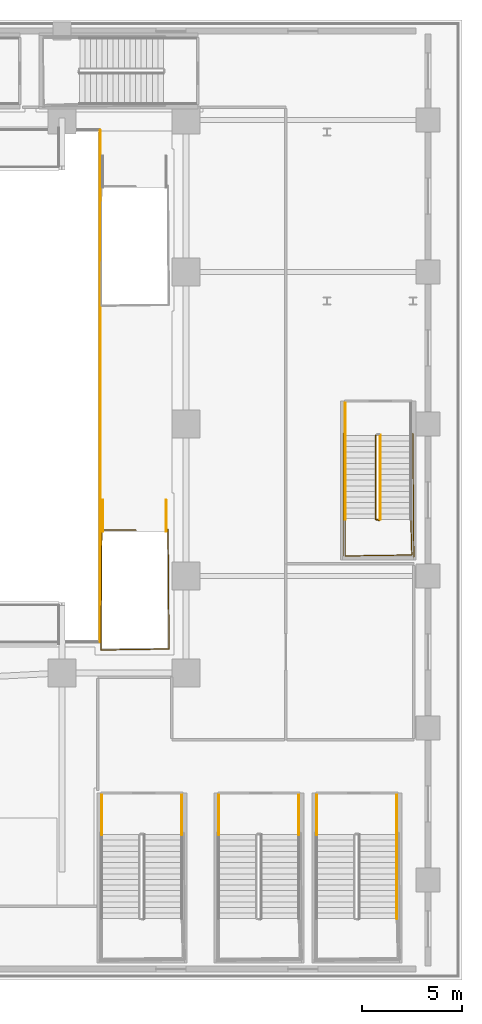
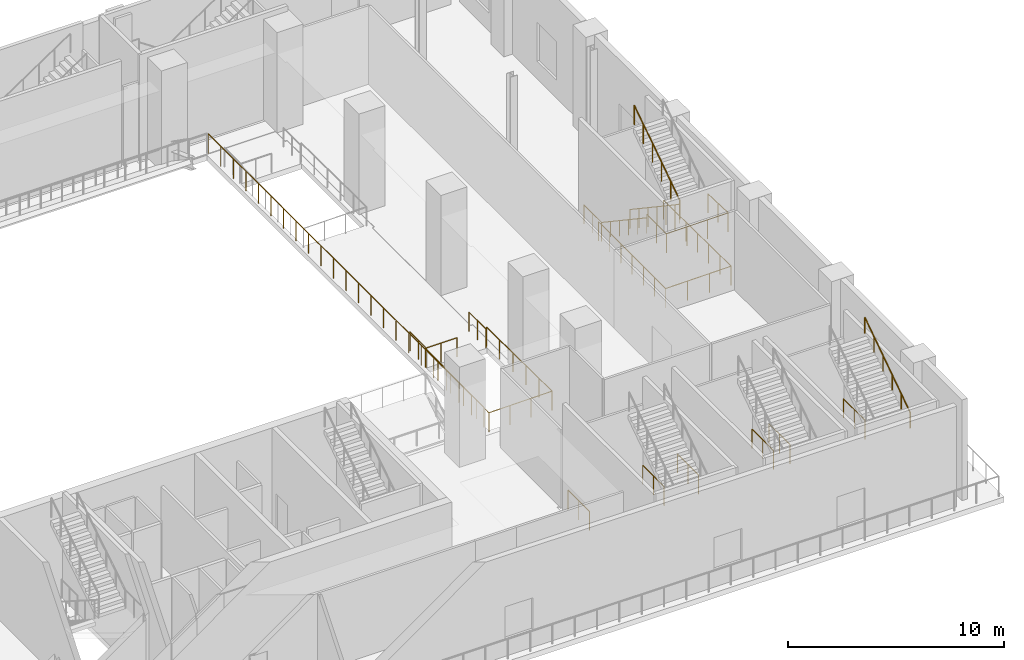
# One storey, part 25 of 28: 17 railings.
"""IFC4 building model written with IfcOpenShell, lengths in metres."""

from ifc_helpers import new_model, si_unit, direction, frame, origin, origin_2d, place, context, subcontext, project, spatial, circle, extrude, material, layer, layer_set, type_object, element, save


model = new_model("IFC4")

# Units and contexts
model_context = context("Model", 3, precision=1e-05, world=origin(), true_north=direction((0.0, 1.0)))
body_context = subcontext(model_context, "Body", "Model", "MODEL_VIEW")
ifc_project = project(units=[si_unit("LENGTHUNIT", "METRE"), si_unit("AREAUNIT", "SQUARE_METRE"), si_unit("VOLUMEUNIT", "CUBIC_METRE"), si_unit("PLANEANGLEUNIT", "RADIAN"), si_unit("MASSUNIT", "GRAM", prefix="KILO")], contexts=[model_context])

# Site, building, storey
site_placement = place(None, origin())
site = spatial("IfcSite", under=ifc_project, at=site_placement, CompositionType="ELEMENT")
building_placement = place(site_placement, origin())
building = spatial("IfcBuilding", under=site, at=building_placement, Name="Ndaravel Arena Tower", CompositionType="ELEMENT")
storey_placement = place(building_placement, frame((0.0, 0.0, 18.0)))
storey = spatial("IfcBuildingStorey", under=building, at=storey_placement, Name="L03", CompositionType="ELEMENT", Elevation=18.0)

# Railings
ifc_material_1 = material(Name="Steel S355", Category="steel")
ifc_layer_1 = layer(ifc_material_1, 0.06005859375)
ifc_layer_set_1 = layer_set([ifc_layer_1], Name="Steel S355")
railing_type_1 = type_object("IfcRailingType", Name="RAIL-STAIR-GD1100", PredefinedType="GUARDRAIL", material=ifc_layer_set_1)
for number, where, name in (
    (1, (66.0, 9.25, 0.0), "L03 ST-A04 stair guard 5"),
    (2, (70.0, 9.25, 0.0), "L03 ST-A04 stair guard 6"),
    (3, (71.85009765625, 9.25, 0.0), "L03 ST-A05 stair guard 5"),
    (4, (75.85009765625, 9.25, 0.0), "L03 ST-A05 stair guard 6"),
    (5, (76.75, 9.25, 0.0), "L03 ST-A06 stair guard 5"),
    (6, (80.75, 9.25, 0.0), "L03 ST-A06 stair guard 6"),
):
    element("IfcRailing", number, at=place(storey_placement, frame(where)), inside=storey, type_object=railing_type_1, Name=name, PredefinedType="GUARDRAIL", context=body_context, shape_type="SweptSolid", body=[
        extrude(circle(Radius=0.02392578125, at=origin_2d()), frame((0.0, 0.0, 1.076171875), z_axis=(0.0, -1.0, 0.0), x_axis=(1.0, 0.0, 0.0)), (0.0, 0.0, 1.0), 1.97998046875),
        extrude(circle(Radius=0.02099609375, at=origin_2d()), origin(), (0.0, 0.0, 1.0), 1.052001953125),
        extrude(circle(Radius=0.02099609375, at=origin_2d()), frame((0.0, -0.989990234375, 0.0)), (0.0, 0.0, 1.0), 1.052001953125),
        extrude(circle(Radius=0.02099609375, at=origin_2d()), frame((0.0, -1.97998046875, 0.0)), (0.0, 0.0, 1.0), 1.052001953125),
    ])
railing_1_placement = place(storey_placement, frame((79.68994140625, 27.22998046875, 0.1875)))
element("IfcRailing", 7, at=railing_1_placement, inside=storey, type_object=railing_type_1, Name="L03 ST-A12 stair guard 1", PredefinedType="GUARDRAIL", context=body_context, shape_type="SweptSolid", body=[
    extrude(circle(Radius=0.02392578125, at=origin_2d()), frame((0.0, 0.0, 1.076171875), z_axis=(0.0, -0.830904186295, 0.556415522067), x_axis=(1.0, 0.0, 0.0)), (0.0, 0.0, 1.0), 5.0546875),
    extrude(circle(Radius=0.02392578125, at=origin_2d()), frame((0.0, -4.199951171875, 3.888671875), z_axis=(0.966993988697, -0.254799187253, 0.0), x_axis=(0.254799187253, 0.966993988697, 0.0)), (0.0, 0.0, 1.0), 0.196533203125),
    extrude(circle(Radius=0.02099609375, at=origin_2d()), origin(), (0.0, 0.0, 1.0), 1.052001953125),
    extrude(circle(Radius=0.02099609375, at=origin_2d()), frame((0.0, -0.840087890625, 0.5625)), (0.0, 0.0, 1.0), 1.052001953125),
    extrude(circle(Radius=0.02099609375, at=origin_2d()), frame((0.0, -1.679931640625, 1.125)), (0.0, 0.0, 1.0), 1.052001953125),
    extrude(circle(Radius=0.02099609375, at=origin_2d()), frame((0.0, -2.52001953125, 1.6875)), (0.0, 0.0, 1.0), 1.052001953125),
    extrude(circle(Radius=0.02099609375, at=origin_2d()), frame((0.0, -3.35986328125, 2.25)), (0.0, 0.0, 1.0), 1.052001953125),
    extrude(circle(Radius=0.02099609375, at=origin_2d()), frame((0.0, -4.199951171875, 2.8125)), (0.0, 0.0, 1.0), 1.052001953125),
    extrude(circle(Radius=0.02099609375, at=origin_2d()), frame((0.18994140625, -4.25, 2.8125)), (0.0, 0.0, 1.0), 1.052001953125),
])
railing_2_placement = place(storey_placement, frame((78.169921875, 23.030029296875, 3.0)))
element("IfcRailing", 8, at=railing_2_placement, inside=storey, type_object=railing_type_1, Name="L03 ST-A12 stair guard 2", PredefinedType="GUARDRAIL", context=body_context, shape_type="SweptSolid", body=[
    extrude(circle(Radius=0.02392578125, at=origin_2d()), frame((0.0, 0.0, 1.076171875), z_axis=(0.0, -1.0, 0.0), x_axis=(1.0, 0.0, 0.0)), (0.0, 0.0, 1.0), 1.830078125),
    extrude(circle(Radius=0.02392578125, at=origin_2d()), frame((0.0, -1.830078125, 1.076171875), z_axis=(0.999887078817, 0.015027628384, 0.0), x_axis=(-0.015027628384, 0.999887078817, 0.0)), (0.0, 0.0, 1.0), 3.33056640625),
    extrude(circle(Radius=0.02392578125, at=origin_2d()), frame((3.330078125, -1.780029296875, 1.076171875), z_axis=(-0.028105748986, 0.999604955407, 0.0), x_axis=(-0.999604955407, -0.028105748986, 0.0)), (0.0, 0.0, 1.0), 1.78076171875),
    extrude(circle(Radius=0.02099609375, at=origin_2d()), origin(), (0.0, 0.0, 1.0), 1.052001953125),
    extrude(circle(Radius=0.02099609375, at=origin_2d()), frame((0.0, -0.9150390625, 0.0)), (0.0, 0.0, 1.0), 1.052001953125),
    extrude(circle(Radius=0.02099609375, at=origin_2d()), frame((0.0, -1.830078125, 0.0)), (0.0, 0.0, 1.0), 1.052001953125),
    extrude(circle(Radius=0.02099609375, at=origin_2d()), frame((1.110107421875, -1.8134765625, 0.0)), (0.0, 0.0, 1.0), 1.052001953125),
    extrude(circle(Radius=0.02099609375, at=origin_2d()), frame((2.219970703125, -1.796630859375, 0.0)), (0.0, 0.0, 1.0), 1.052001953125),
    extrude(circle(Radius=0.02099609375, at=origin_2d()), frame((3.330078125, -1.780029296875, 0.0)), (0.0, 0.0, 1.0), 1.052001953125),
    extrude(circle(Radius=0.02099609375, at=origin_2d()), frame((3.30517578125, -0.89013671875, 0.0)), (0.0, 0.0, 1.0), 1.052001953125),
    extrude(circle(Radius=0.02099609375, at=origin_2d()), frame((3.280029296875, 0.0, 0.0)), (0.0, 0.0, 1.0), 1.052001953125),
])
railing_3_placement = place(storey_placement, frame((79.929931640625, 23.030029296875, 3.1875)))
element("IfcRailing", 9, at=railing_3_placement, inside=storey, type_object=railing_type_1, Name="L03 ST-A12 stair guard 3", PredefinedType="GUARDRAIL", context=body_context, shape_type="SweptSolid", body=[
    extrude(circle(Radius=0.02392578125, at=origin_2d()), frame((0.0, 0.0, 1.076171875), z_axis=(0.0, 0.830904186295, 0.556415522067), x_axis=(-1.0, 0.0, 0.0)), (0.0, 0.0, 1.0), 5.0546875),
    extrude(circle(Radius=0.02099609375, at=origin_2d()), origin(), (0.0, 0.0, 1.0), 1.052001953125),
    extrude(circle(Radius=0.02099609375, at=origin_2d()), frame((0.0, 0.840087890625, 0.5625)), (0.0, 0.0, 1.0), 1.052001953125),
    extrude(circle(Radius=0.02099609375, at=origin_2d()), frame((0.0, 1.679931640625, 1.125)), (0.0, 0.0, 1.0), 1.052001953125),
    extrude(circle(Radius=0.02099609375, at=origin_2d()), frame((0.0, 2.52001953125, 1.6875)), (0.0, 0.0, 1.0), 1.052001953125),
    extrude(circle(Radius=0.02099609375, at=origin_2d()), frame((0.0, 3.35986328125, 2.25)), (0.0, 0.0, 1.0), 1.052001953125),
    extrude(circle(Radius=0.02099609375, at=origin_2d()), frame((0.0, 4.199951171875, 2.8125)), (0.0, 0.0, 1.0), 1.052001953125),
])
railing_4_placement = place(storey_placement, frame((78.169921875, 28.85009765625, 0.0)))
element("IfcRailing", 10, at=railing_4_placement, inside=storey, type_object=railing_type_1, Name="L03 ST-A12 stair guard 5", PredefinedType="GUARDRAIL", context=body_context, shape_type="SweptSolid", body=[
    extrude(circle(Radius=0.02392578125, at=origin_2d()), frame((0.0, 0.0, 1.076171875), z_axis=(0.0, -1.0, 0.0), x_axis=(1.0, 0.0, 0.0)), (0.0, 0.0, 1.0), 1.6201171875),
    extrude(circle(Radius=0.02099609375, at=origin_2d()), origin(), (0.0, 0.0, 1.0), 1.052001953125),
    extrude(circle(Radius=0.02099609375, at=origin_2d()), frame((0.0, -0.81005859375, 0.0)), (0.0, 0.0, 1.0), 1.052001953125),
    extrude(circle(Radius=0.02099609375, at=origin_2d()), frame((0.0, -1.6201171875, 0.0)), (0.0, 0.0, 1.0), 1.052001953125),
])
railing_5_placement = place(storey_placement, frame((78.070068359375, 27.330078125, 0.0)))
element("IfcRailing", 11, at=railing_5_placement, inside=storey, type_object=railing_type_1, Name="L03 ST-A12 stair guard 7", PredefinedType="GUARDRAIL", context=body_context, shape_type="SweptSolid", body=[
    extrude(circle(Radius=0.02392578125, at=origin_2d()), frame((0.0, 0.0, 1.076171875), z_axis=(0.0, -1.0, 0.0), x_axis=(1.0, 0.0, 0.0)), (0.0, 0.0, 1.0), 6.22998046875),
    extrude(circle(Radius=0.02392578125, at=origin_2d()), frame((0.0, -6.22998046875, 1.076171875), z_axis=(0.999900484898, 0.014107455489, 0.0), x_axis=(-0.014107455489, 0.999900484898, 0.0)), (0.0, 0.0, 1.0), 3.5302734375),
    extrude(circle(Radius=0.02392578125, at=origin_2d()), frame((3.530029296875, -6.18017578125, 1.076171875), z_axis=(-0.008098019995, 0.999967210499, 0.0), x_axis=(-0.999967210499, -0.008098019995, 0.0)), (0.0, 0.0, 1.0), 6.180419921875),
    extrude(circle(Radius=0.02099609375, at=origin_2d()), origin(), (0.0, 0.0, 1.0), 1.052001953125),
    extrude(circle(Radius=0.02099609375, at=origin_2d()), frame((0.0, -1.038330078125, 0.0)), (0.0, 0.0, 1.0), 1.052001953125),
    extrude(circle(Radius=0.02099609375, at=origin_2d()), frame((0.0, -2.07666015625, 0.0)), (0.0, 0.0, 1.0), 1.052001953125),
    extrude(circle(Radius=0.02099609375, at=origin_2d()), frame((0.0, -3.114990234375, 0.0)), (0.0, 0.0, 1.0), 1.052001953125),
    extrude(circle(Radius=0.02099609375, at=origin_2d()), frame((0.0, -4.1533203125, 0.0)), (0.0, 0.0, 1.0), 1.052001953125),
    extrude(circle(Radius=0.02099609375, at=origin_2d()), frame((0.0, -5.191650390625, 0.0)), (0.0, 0.0, 1.0), 1.052001953125),
    extrude(circle(Radius=0.02099609375, at=origin_2d()), frame((0.0, -6.22998046875, 0.0)), (0.0, 0.0, 1.0), 1.052001953125),
    extrude(circle(Radius=0.02099609375, at=origin_2d()), frame((1.1767578125, -6.21337890625, 0.0)), (0.0, 0.0, 1.0), 1.052001953125),
    extrude(circle(Radius=0.02099609375, at=origin_2d()), frame((2.353271484375, -6.19677734375, 0.0)), (0.0, 0.0, 1.0), 1.052001953125),
    extrude(circle(Radius=0.02099609375, at=origin_2d()), frame((3.530029296875, -6.18017578125, 0.0)), (0.0, 0.0, 1.0), 1.052001953125),
    extrude(circle(Radius=0.02099609375, at=origin_2d()), frame((3.521728515625, -5.150146484375, 0.0)), (0.0, 0.0, 1.0), 1.052001953125),
    extrude(circle(Radius=0.02099609375, at=origin_2d()), frame((3.513427734375, -4.1201171875, 0.0)), (0.0, 0.0, 1.0), 1.052001953125),
    extrude(circle(Radius=0.02099609375, at=origin_2d()), frame((3.5048828125, -3.090087890625, 0.0)), (0.0, 0.0, 1.0), 1.052001953125),
    extrude(circle(Radius=0.02099609375, at=origin_2d()), frame((3.49658203125, -2.06005859375, 0.0)), (0.0, 0.0, 1.0), 1.052001953125),
    extrude(circle(Radius=0.02099609375, at=origin_2d()), frame((3.48828125, -1.030029296875, 0.0)), (0.0, 0.0, 1.0), 1.052001953125),
    extrude(circle(Radius=0.02099609375, at=origin_2d()), frame((3.47998046875, 0.0, 0.0)), (0.0, 0.0, 1.0), 1.052001953125),
])
railing_6_placement = place(storey_placement, frame((69.31005859375, 22.5400390625, 0.0)))
element("IfcRailing", 12, at=railing_6_placement, inside=storey, type_object=railing_type_1, Name="L03 ST-VOM-3 top well guard 1", PredefinedType="GUARDRAIL", context=body_context, shape_type="SweptSolid", body=[
    extrude(circle(Radius=0.02392578125, at=origin_2d()), frame((0.0, 0.0, 1.076171875), z_axis=(0.008355118995, -0.999965095384, 0.0), x_axis=(0.999965095384, 0.008355118995, 0.0)), (0.0, 0.0, 1.0), 5.990234375),
    extrude(circle(Radius=0.02392578125, at=origin_2d()), frame((0.050048828125, -5.989990234375, 1.076171875), z_axis=(-0.99989231899, -0.014674822837, 0.0), x_axis=(0.014674822837, -0.99989231899, 0.0)), (0.0, 0.0, 1.0), 3.41064453125),
    extrude(circle(Radius=0.02392578125, at=origin_2d()), frame((-3.360107421875, -6.0400390625, 1.076171875), z_axis=(0.008355118995, 0.999965095384, 0.0), x_axis=(-0.999965095384, 0.008355118995, 0.0)), (0.0, 0.0, 1.0), 5.990234375),
    extrude(circle(Radius=0.02392578125, at=origin_2d()), frame((-3.31005859375, -0.050048828125, 1.076171875), z_axis=(1.0, 0.0, 0.0), x_axis=(0.0, 1.0, 0.0)), (0.0, 0.0, 1.0), 1.699951171875),
    extrude(circle(Radius=0.02099609375, at=origin_2d()), origin(), (0.0, 0.0, 1.0), 1.052001953125),
    extrude(circle(Radius=0.02099609375, at=origin_2d()), frame((0.010009765625, -1.197998046875, 0.0)), (0.0, 0.0, 1.0), 1.052001953125),
    extrude(circle(Radius=0.02099609375, at=origin_2d()), frame((0.02001953125, -2.39599609375, 0.0)), (0.0, 0.0, 1.0), 1.052001953125),
    extrude(circle(Radius=0.02099609375, at=origin_2d()), frame((0.030029296875, -3.593994140625, 0.0)), (0.0, 0.0, 1.0), 1.052001953125),
    extrude(circle(Radius=0.02099609375, at=origin_2d()), frame((0.0400390625, -4.7919921875, 0.0)), (0.0, 0.0, 1.0), 1.052001953125),
    extrude(circle(Radius=0.02099609375, at=origin_2d()), frame((0.050048828125, -5.989990234375, 0.0)), (0.0, 0.0, 1.0), 1.052001953125),
    extrude(circle(Radius=0.02099609375, at=origin_2d()), frame((-1.086669921875, -6.006591796875, 0.0)), (0.0, 0.0, 1.0), 1.052001953125),
    extrude(circle(Radius=0.02099609375, at=origin_2d()), frame((-2.223388671875, -6.0234375, 0.0)), (0.0, 0.0, 1.0), 1.052001953125),
    extrude(circle(Radius=0.02099609375, at=origin_2d()), frame((-3.360107421875, -6.0400390625, 0.0)), (0.0, 0.0, 1.0), 1.052001953125),
    extrude(circle(Radius=0.02099609375, at=origin_2d()), frame((-3.35009765625, -4.842041015625, 0.0)), (0.0, 0.0, 1.0), 1.052001953125),
    extrude(circle(Radius=0.02099609375, at=origin_2d()), frame((-3.340087890625, -3.64404296875, 0.0)), (0.0, 0.0, 1.0), 1.052001953125),
    extrude(circle(Radius=0.02099609375, at=origin_2d()), frame((-3.330078125, -2.446044921875, 0.0)), (0.0, 0.0, 1.0), 1.052001953125),
    extrude(circle(Radius=0.02099609375, at=origin_2d()), frame((-3.320068359375, -1.248046875, 0.0)), (0.0, 0.0, 1.0), 1.052001953125),
    extrude(circle(Radius=0.02099609375, at=origin_2d()), frame((-3.31005859375, -0.050048828125, 0.0)), (0.0, 0.0, 1.0), 1.052001953125),
    extrude(circle(Radius=0.02099609375, at=origin_2d()), frame((-2.4599609375, -0.050048828125, 0.0)), (0.0, 0.0, 1.0), 1.052001953125),
    extrude(circle(Radius=0.02099609375, at=origin_2d()), frame((-1.610107421875, -0.050048828125, 0.0)), (0.0, 0.0, 1.0), 1.052001953125),
])
for number, where, name in (
    (13, (66.050048828125, 24.0, 0.0), "L03 ST-VOM-3 top well guard 2"),
    (14, (69.2099609375, 24.0, 0.0), "L03 ST-VOM-3 top well guard 3"),
):
    element("IfcRailing", number, at=place(storey_placement, frame(where)), inside=storey, type_object=railing_type_1, Name=name, PredefinedType="GUARDRAIL", context=body_context, shape_type="SweptSolid", body=[
        extrude(circle(Radius=0.02392578125, at=origin_2d()), frame((0.0, 0.0, 1.076171875), z_axis=(0.0, -1.0, 0.0), x_axis=(1.0, 0.0, 0.0)), (0.0, 0.0, 1.0), 1.56005859375),
        extrude(circle(Radius=0.02099609375, at=origin_2d()), origin(), (0.0, 0.0, 1.0), 1.052001953125),
        extrude(circle(Radius=0.02099609375, at=origin_2d()), frame((0.0, -0.780029296875, 0.0)), (0.0, 0.0, 1.0), 1.052001953125),
        extrude(circle(Radius=0.02099609375, at=origin_2d()), frame((0.0, -1.56005859375, 0.0)), (0.0, 0.0, 1.0), 1.052001953125),
    ])
ifc_material_2 = material(Name="Steel S355", Category="steel")
ifc_layer_2 = layer(ifc_material_2, 0.050048828125)
ifc_layer_set_2 = layer_set([ifc_layer_2], Name="Steel S355")
railing_type_2 = type_object("IfcRailingType", Name="RAIL-STAIR-HR920", PredefinedType="HANDRAIL", material=ifc_layer_set_2)
railing_7_placement = place(storey_placement, frame((80.75, 3.070068359375, 3.1875)))
element("IfcRailing", 15, at=railing_7_placement, inside=storey, type_object=railing_type_2, Name="L03 ST-A06 stair handrail 2", PredefinedType="HANDRAIL", context=body_context, shape_type="SweptSolid", body=[
    extrude(circle(Radius=0.02392578125, at=origin_2d()), frame((0.0, 0.0, 0.8759765625), z_axis=(0.0, 0.830904186295, 0.556415522067), x_axis=(-1.0, 0.0, 0.0)), (0.0, 0.0, 1.0), 5.0546875),
    extrude(circle(Radius=0.02099609375, at=origin_2d()), origin(), (0.0, 0.0, 1.0), 0.851806640625),
    extrude(circle(Radius=0.02099609375, at=origin_2d()), frame((0.0, 0.840087890625, 0.5625)), (0.0, 0.0, 1.0), 0.851806640625),
    extrude(circle(Radius=0.02099609375, at=origin_2d()), frame((0.0, 1.679931640625, 1.125)), (0.0, 0.0, 1.0), 0.851806640625),
    extrude(circle(Radius=0.02099609375, at=origin_2d()), frame((0.0, 2.52001953125, 1.6875)), (0.0, 0.0, 1.0), 0.851806640625),
    extrude(circle(Radius=0.02099609375, at=origin_2d()), frame((0.0, 3.35986328125, 2.25)), (0.0, 0.0, 1.0), 0.851806640625),
    extrude(circle(Radius=0.02099609375, at=origin_2d()), frame((0.0, 4.199951171875, 2.8125)), (0.0, 0.0, 1.0), 0.851806640625),
])
railing_8_placement = place(storey_placement, frame((78.169921875, 27.22998046875, 0.1875)))
element("IfcRailing", 16, at=railing_8_placement, inside=storey, type_object=railing_type_2, Name="L03 ST-A12 stair handrail 1", PredefinedType="HANDRAIL", context=body_context, shape_type="SweptSolid", body=[
    extrude(circle(Radius=0.02392578125, at=origin_2d()), frame((0.0, 0.0, 0.8759765625), z_axis=(0.0, -0.830904186295, 0.556415522067), x_axis=(1.0, 0.0, 0.0)), (0.0, 0.0, 1.0), 5.0546875),
    extrude(circle(Radius=0.02099609375, at=origin_2d()), origin(), (0.0, 0.0, 1.0), 0.851806640625),
    extrude(circle(Radius=0.02099609375, at=origin_2d()), frame((0.0, -0.840087890625, 0.5625)), (0.0, 0.0, 1.0), 0.851806640625),
    extrude(circle(Radius=0.02099609375, at=origin_2d()), frame((0.0, -1.679931640625, 1.125)), (0.0, 0.0, 1.0), 0.851806640625),
    extrude(circle(Radius=0.02099609375, at=origin_2d()), frame((0.0, -2.52001953125, 1.6875)), (0.0, 0.0, 1.0), 0.851806640625),
    extrude(circle(Radius=0.02099609375, at=origin_2d()), frame((0.0, -3.35986328125, 2.25)), (0.0, 0.0, 1.0), 0.851806640625),
    extrude(circle(Radius=0.02099609375, at=origin_2d()), frame((0.0, -4.199951171875, 2.8125)), (0.0, 0.0, 1.0), 0.851806640625),
])
ifc_material_3 = material(Name="Glazing", Category="glass")
ifc_layer_3 = layer(ifc_material_3, 0.070068359375)
ifc_layer_set_3 = layer_set([ifc_layer_3], Name="Glazing")
railing_type_3 = type_object("IfcRailingType", Name="RAIL-TERRACE-1150", PredefinedType="BALUSTRADE", material=ifc_layer_set_3)
railing_9_placement = place(storey_placement, frame((65.919921875, 16.919921875, 0.0)))
element("IfcRailing", 17, at=railing_9_placement, inside=storey, type_object=railing_type_3, Name="L03 Arena Bowl Concourse E Balustrade", PredefinedType="BALUSTRADE", context=body_context, shape_type="SweptSolid", body=[
    extrude(circle(Radius=0.02392578125, at=origin_2d()), frame((0.0, 0.0, 1.1259765625), z_axis=(0.0, 1.0, 0.0), x_axis=(-1.0, 0.0, 0.0)), (0.0, 0.0, 1.0), 25.56005859375),
    extrude(circle(Radius=0.02099609375, at=origin_2d()), origin(), (0.0, 0.0, 1.0), 1.101806640625),
    extrude(circle(Radius=0.02099609375, at=origin_2d()), frame((0.0, 1.161865234375, 0.0)), (0.0, 0.0, 1.0), 1.101806640625),
    extrude(circle(Radius=0.02099609375, at=origin_2d()), frame((0.0, 2.32373046875, 0.0)), (0.0, 0.0, 1.0), 1.101806640625),
    extrude(circle(Radius=0.02099609375, at=origin_2d()), frame((0.0, 3.4853515625, 0.0)), (0.0, 0.0, 1.0), 1.101806640625),
    extrude(circle(Radius=0.02099609375, at=origin_2d()), frame((0.0, 4.647216796875, 0.0)), (0.0, 0.0, 1.0), 1.101806640625),
    extrude(circle(Radius=0.02099609375, at=origin_2d()), frame((0.0, 5.80908203125, 0.0)), (0.0, 0.0, 1.0), 1.101806640625),
    extrude(circle(Radius=0.02099609375, at=origin_2d()), frame((0.0, 6.970947265625, 0.0)), (0.0, 0.0, 1.0), 1.101806640625),
    extrude(circle(Radius=0.02099609375, at=origin_2d()), frame((0.0, 8.1328125, 0.0)), (0.0, 0.0, 1.0), 1.101806640625),
    extrude(circle(Radius=0.02099609375, at=origin_2d()), frame((0.0, 9.294677734375, 0.0)), (0.0, 0.0, 1.0), 1.101806640625),
    extrude(circle(Radius=0.02099609375, at=origin_2d()), frame((0.0, 10.456298828125, 0.0)), (0.0, 0.0, 1.0), 1.101806640625),
    extrude(circle(Radius=0.02099609375, at=origin_2d()), frame((0.0, 11.6181640625, 0.0)), (0.0, 0.0, 1.0), 1.101806640625),
    extrude(circle(Radius=0.02099609375, at=origin_2d()), frame((0.0, 12.780029296875, 0.0)), (0.0, 0.0, 1.0), 1.101806640625),
    extrude(circle(Radius=0.02099609375, at=origin_2d()), frame((0.0, 13.94189453125, 0.0)), (0.0, 0.0, 1.0), 1.101806640625),
    extrude(circle(Radius=0.02099609375, at=origin_2d()), frame((0.0, 15.103759765625, 0.0)), (0.0, 0.0, 1.0), 1.101806640625),
    extrude(circle(Radius=0.02099609375, at=origin_2d()), frame((0.0, 16.265380859375, 0.0)), (0.0, 0.0, 1.0), 1.101806640625),
    extrude(circle(Radius=0.02099609375, at=origin_2d()), frame((0.0, 17.42724609375, 0.0)), (0.0, 0.0, 1.0), 1.101806640625),
    extrude(circle(Radius=0.02099609375, at=origin_2d()), frame((0.0, 18.589111328125, 0.0)), (0.0, 0.0, 1.0), 1.101806640625),
    extrude(circle(Radius=0.02099609375, at=origin_2d()), frame((0.0, 19.7509765625, 0.0)), (0.0, 0.0, 1.0), 1.101806640625),
    extrude(circle(Radius=0.02099609375, at=origin_2d()), frame((0.0, 20.912841796875, 0.0)), (0.0, 0.0, 1.0), 1.101806640625),
    extrude(circle(Radius=0.02099609375, at=origin_2d()), frame((0.0, 22.07470703125, 0.0)), (0.0, 0.0, 1.0), 1.101806640625),
    extrude(circle(Radius=0.02099609375, at=origin_2d()), frame((0.0, 23.236328125, 0.0)), (0.0, 0.0, 1.0), 1.101806640625),
    extrude(circle(Radius=0.02099609375, at=origin_2d()), frame((0.0, 24.398193359375, 0.0)), (0.0, 0.0, 1.0), 1.101806640625),
    extrude(circle(Radius=0.02099609375, at=origin_2d()), frame((0.0, 25.56005859375, 0.0)), (0.0, 0.0, 1.0), 1.101806640625),
])

save(model, "model.ifc")
